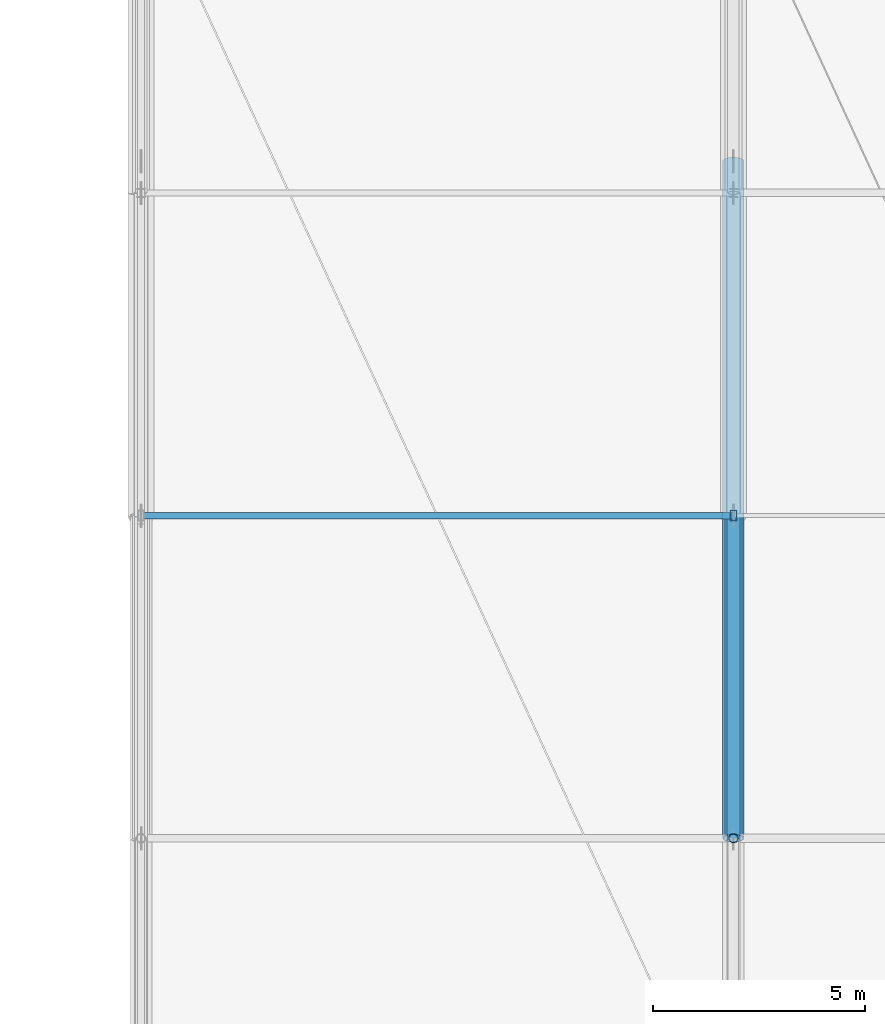
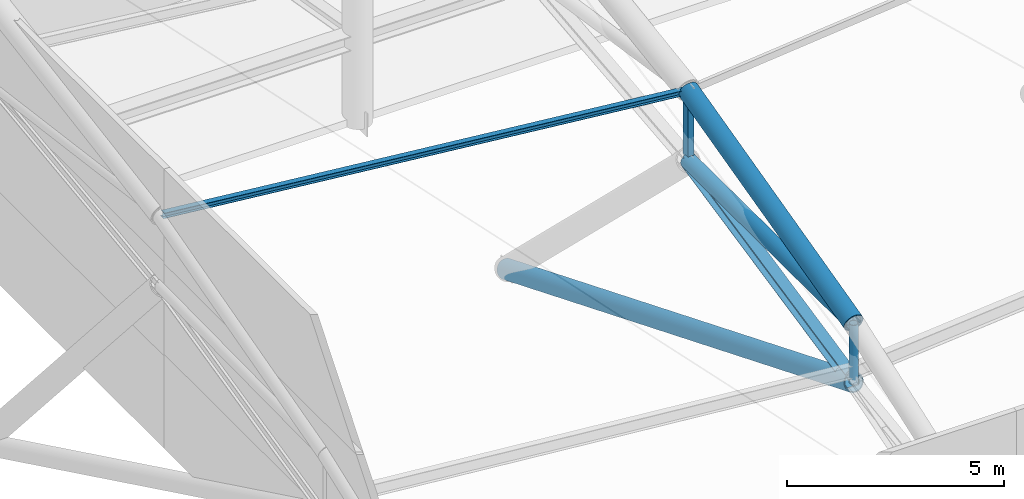
# One storey, part 26 of 113: 7 members.
"""IFC4 building model written with IfcOpenShell, lengths in metres."""

from ifc_helpers import new_model, si_unit, direction, frame, origin, origin_2d, place, context, subcontext, project, spatial, hollow_rectangle, hollow_circle, i_section, extrude, material, material_profile, profile_set, type_object, element, save


model = new_model("IFC4")

# Units and contexts
model_context = context("Model", 3, precision=1e-05, world=origin(), true_north=direction((0.0, 1.0)))
body_context = subcontext(model_context, "Body", "Model", "MODEL_VIEW")
ifc_project = project(units=[si_unit("LENGTHUNIT", "METRE"), si_unit("AREAUNIT", "SQUARE_METRE"), si_unit("VOLUMEUNIT", "CUBIC_METRE"), si_unit("PLANEANGLEUNIT", "RADIAN"), si_unit("MASSUNIT", "GRAM", prefix="KILO")], contexts=[model_context])

# Site, building, storey
site_placement = place(None, origin())
site = spatial("IfcSite", under=ifc_project, at=site_placement, CompositionType="ELEMENT")
building_placement = place(site_placement, origin())
building = spatial("IfcBuilding", under=site, at=building_placement, Name="Linyun Crest Stadium", CompositionType="ELEMENT")
storey_placement = place(building_placement, frame((0.0, 0.0, 26.39990234375)))
storey = spatial("IfcBuildingStorey", under=building, at=storey_placement, Name="L06", CompositionType="ELEMENT", Elevation=26.39990234375)

# Members
ifc_material_1 = material(Name="Steel Q355C", Category="steel")
ifc_material_profile_1 = material_profile(ifc_material_1, i_section(OverallWidth=0.14990234375, OverallDepth=0.14990234375, WebThickness=0.007080078125, FlangeThickness=0.010009765625, at=origin_2d()), Name="HW 150x150")
ifc_profile_set_1 = profile_set([ifc_material_profile_1], Name="Steel Q355C")
member_type_1 = type_object("IfcMemberType", Name="AR01", PredefinedType="USERDEFINED", material=ifc_profile_set_1)
member_1_placement = place(storey_placement, frame((-28.0, 76.25, 11.302001953125), z_axis=(0.995017241541, 0.0, -0.099703004149), x_axis=(0.0, 1.0, 0.0)))
element("IfcMember", 1, at=member_1_placement, inside=storey, type_object=member_type_1, Name="Art Nouveau canopy arch rib AR01 V3 459", ObjectType="ARCH RIB", PredefinedType="USERDEFINED", context=body_context, shape_type="SweptSolid", body=[
    extrude(i_section(OverallWidth=0.14990234375, OverallDepth=0.14990234375, WebThickness=0.007080078125, FlangeThickness=0.010009765625, at=origin_2d()), origin(), (0.0, 0.0, 1.0), 14.070068359375),
])
ifc_material_2 = material(Name="Steel Q420C", Category="steel")
ifc_material_profile_2 = material_profile(ifc_material_2, hollow_circle(Radius=0.25390625, WallThickness=0.02490234375, at=origin_2d()), Name="CHS 508x25")
ifc_profile_set_2 = profile_set([ifc_material_profile_2], Name="Steel Q420C")
member_type_2 = type_object("IfcMemberType", Name="TC01", PredefinedType="CHORD", material=ifc_profile_set_2)
member_2_placement = place(storey_placement, frame((-14.0, 76.25, 9.899169921875), z_axis=(0.0, -0.969577440695, -0.244784775867), x_axis=(1.0, 0.0, 0.0)))
element("IfcMember", 2, at=member_2_placement, inside=storey, type_object=member_type_2, Name="Roof truss top chord TC01 V3 389", PredefinedType="CHORD", context=body_context, shape_type="SweptSolid", body=[
    extrude(hollow_circle(Radius=0.25390625, WallThickness=0.02490234375, at=origin_2d()), origin(), (0.0, 0.0, 1.0), 7.8642578125),
])
member_3_placement = place(storey_placement, frame((-14.0, 84.625, -0.21484375), z_axis=(0.0, -0.925963215664, 0.377613722257), x_axis=(1.0, 0.0, 0.0)))
element("IfcMember", 3, at=member_3_placement, inside=storey, type_object=member_type_2, Name="Roof arch forward V-strut TC01 V3 398", PredefinedType="CHORD", context=body_context, shape_type="SweptSolid", body=[
    extrude(hollow_circle(Radius=0.25390625, WallThickness=0.02490234375, at=origin_2d()), origin(), (0.0, 0.0, 1.0), 17.279296875),
])
ifc_material_3 = material(Name="Steel Q355C", Category="steel")
ifc_material_profile_3 = material_profile(ifc_material_3, i_section(OverallWidth=0.300048828125, OverallDepth=0.300048828125, WebThickness=0.010009765625, FlangeThickness=0.014892578125, at=origin_2d()), Name="HW 300x300")
ifc_profile_set_3 = profile_set([ifc_material_profile_3], Name="Steel Q355C")
member_type_3 = type_object("IfcMemberType", Name="TC03", PredefinedType="CHORD", material=ifc_profile_set_3)
member_4_placement = place(storey_placement, frame((-14.0, 76.25, 7.923095703125), z_axis=(0.0, -0.978348239404, -0.206965510302), x_axis=(1.0, 0.0, 0.0)))
element("IfcMember", 4, at=member_4_placement, inside=storey, type_object=member_type_3, Name="Roof truss bottom chord TC03 V3 390", PredefinedType="CHORD", context=body_context, shape_type="SweptSolid", body=[
    extrude(i_section(OverallWidth=0.300048828125, OverallDepth=0.300048828125, WebThickness=0.010009765625, FlangeThickness=0.014892578125, at=origin_2d()), origin(), (0.0, 0.0, 1.0), 7.793701171875),
])
ifc_material_4 = material(Name="Steel Q420C", Category="steel")
ifc_material_profile_4 = material_profile(ifc_material_4, hollow_circle(Radius=0.202880859375, WallThickness=0.02001953125, at=origin_2d()), Name="CHS 406x20")
ifc_profile_set_4 = profile_set([ifc_material_profile_4], Name="Steel Q420C")
member_type_4 = type_object("IfcMemberType", Name="TD03", PredefinedType="BRACE", material=ifc_profile_set_4)
member_5_placement = place(storey_placement, frame((-14.0, 76.25, 7.923095703125), z_axis=(0.0, -0.999977610294, 0.00669170468), x_axis=(1.0, 0.0, 0.0)))
element("IfcMember", 5, at=member_5_placement, inside=storey, type_object=member_type_4, Name="Roof truss diagonal TD03 V3 391", PredefinedType="BRACE", context=body_context, shape_type="SweptSolid", body=[
    extrude(hollow_circle(Radius=0.202880859375, WallThickness=0.02001953125, at=origin_2d()), origin(), (0.0, 0.0, 1.0), 7.625244140625),
])
ifc_material_5 = material(Name="Steel Q355C", Category="steel")
ifc_material_profile_5 = material_profile(ifc_material_5, hollow_circle(Radius=0.109619140625, WallThickness=0.011962890625, at=origin_2d()), Name="CHS 219x12")
ifc_profile_set_5 = profile_set([ifc_material_profile_5], Name="Steel Q355C")
member_type_5 = type_object("IfcMemberType", Name="TV01", PredefinedType="STRUT", material=ifc_profile_set_5)
member_6_placement = place(storey_placement, frame((-14.0, 68.625, 6.31005859375), z_axis=(0.0, 0.0, 1.0), x_axis=(1.0, 0.0, 0.0)))
element("IfcMember", 6, at=member_6_placement, inside=storey, type_object=member_type_5, Name="Roof vertical strut TV01 V3 396", PredefinedType="STRUT", context=body_context, shape_type="SweptSolid", body=[
    extrude(hollow_circle(Radius=0.109619140625, WallThickness=0.011962890625, at=origin_2d()), origin(), (0.0, 0.0, 1.0), 1.6640625),
])
ifc_material_6 = material(Name="Steel Q355C", Category="steel")
ifc_material_profile_6 = material_profile(ifc_material_6, hollow_rectangle(XDim=0.14990234375, YDim=0.25, WallThickness=0.010009765625, at=origin_2d()), Name="RHS 250x150x10")
ifc_profile_set_6 = profile_set([ifc_material_profile_6], Name="Steel Q355C")
member_type_6 = type_object("IfcMemberType", Name="TV03", PredefinedType="STRUT", material=ifc_profile_set_6)
member_7_placement = place(storey_placement, frame((-14.0, 76.25, 7.923095703125), z_axis=(0.0, 0.0, 1.0), x_axis=(1.0, 0.0, 0.0)))
element("IfcMember", 7, at=member_7_placement, inside=storey, type_object=member_type_6, Name="Roof vertical strut TV03 V3 392", PredefinedType="STRUT", context=body_context, shape_type="SweptSolid", body=[
    extrude(hollow_rectangle(XDim=0.14990234375, YDim=0.25, WallThickness=0.010009765625, at=origin_2d()), origin(), (0.0, 0.0, 1.0), 1.97607421875),
])

save(model, "model.ifc")
